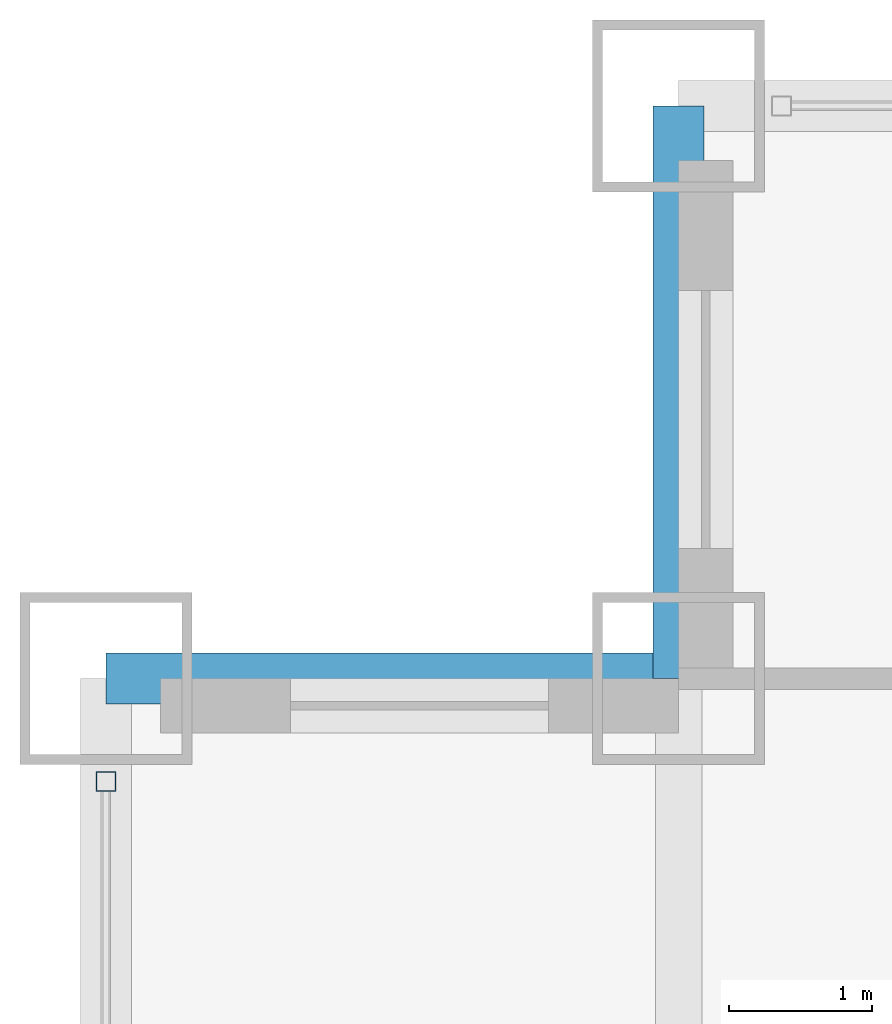
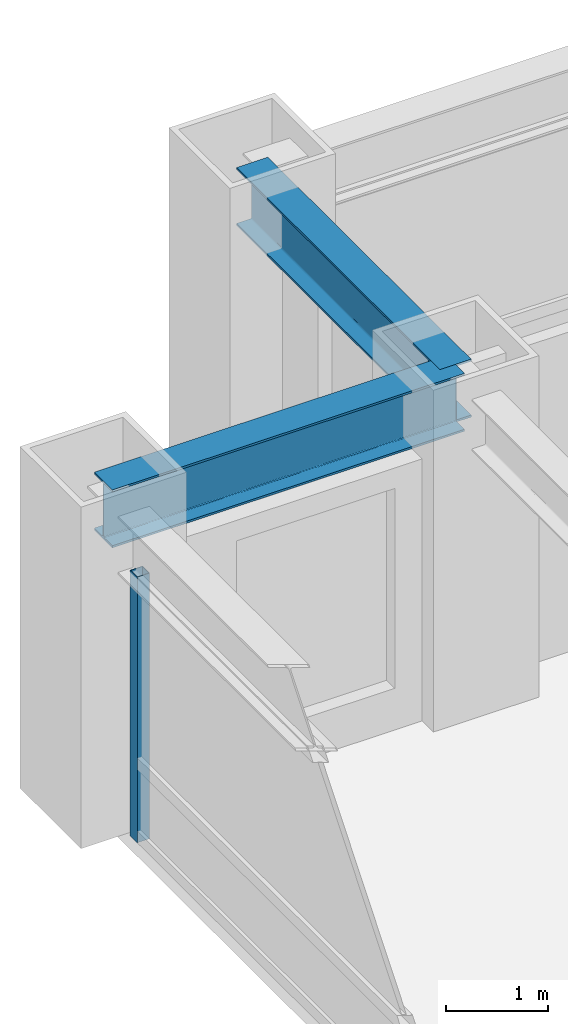
# One storey, part 10 of 28: 2 beams, 1 member, 1 element without a shape of its own.
"""IFC4 building model written with IfcOpenShell, lengths in metres."""

from ifc_helpers import new_model, si_unit, direction, frame, origin, origin_2d, place, context, subcontext, project, spatial, hollow_rectangle, i_section, extrude, source, transform, mapped, material, material_profile, profile_set, type_object, element, aggregate, save


model = new_model("IFC4")

# Units and contexts
model_context = context("Model", 3, precision=1e-05, world=origin(), true_north=direction((0.0, 1.0)))
body_context = subcontext(model_context, "Body", "Model", "MODEL_VIEW")
ifc_project = project(units=[si_unit("LENGTHUNIT", "METRE"), si_unit("AREAUNIT", "SQUARE_METRE"), si_unit("VOLUMEUNIT", "CUBIC_METRE"), si_unit("PLANEANGLEUNIT", "RADIAN"), si_unit("MASSUNIT", "GRAM", prefix="KILO")], contexts=[model_context])

# Site, building, storey
site_placement = place(None, origin())
site = spatial("IfcSite", under=ifc_project, at=site_placement, CompositionType="ELEMENT")
building_placement = place(site_placement, origin())
building = spatial("IfcBuilding", under=site, at=building_placement, Name="Khorayat Bourse Tower", CompositionType="ELEMENT")
storey_placement = place(building_placement, frame((0.0, 0.0, 120.10009765625)))
storey = spatial("IfcBuildingStorey", under=building, at=storey_placement, Name="L27", CompositionType="ELEMENT", Elevation=120.10009765625)

# Beams
ifc_material_1 = material(Name="Steel ASTM A992 Grade 50", Category="steel")
ifc_material_profile_1 = material_profile(ifc_material_1, i_section(OverallWidth=0.35498046875, OverallDepth=0.695068359375, WebThickness=0.015380859375, FlangeThickness=0.02490234375, FilletRadius=0.01806640625, at=origin_2d()), Name="W690X217")
ifc_profile_set_1 = profile_set([ifc_material_profile_1], Name="Steel ASTM A992 Grade 50")
beam_type = type_object("IfcBeamType", Name="BM-SPAN-690", PredefinedType="SPANDREL", material=ifc_profile_set_1)
shared_shape_1 = source(origin(), body_context, "Body", "SweptSolid", [
    extrude(i_section(OverallWidth=0.35498046875, OverallDepth=0.695068359375, WebThickness=0.015380859375, FlangeThickness=0.02490234375, FilletRadius=0.01806640625, at=origin_2d()), origin(), (0.0, 0.0, 1.0), 4.0),
])
for number, where, z_axis, x_axis, name in (
    (1, (-28.0, 28.0, 3.492431640625), (0.0, 1.0, 0.0), (-1.0, 0.0, 0.0), "L27 BM-SPAN-690 BM-L27-SPN-052"),
    (2, (-32.0, 28.0, 3.492431640625), (1.0, 0.0, 0.0), (0.0, 1.0, 0.0), "L27 BM-SPAN-690 BM-L27-SPN-053"),
):
    element("IfcBeam", number, at=place(storey_placement, frame(where, z_axis=z_axis, x_axis=x_axis)), inside=storey, type_object=beam_type, Name=name, PredefinedType="SPANDREL", context=body_context, shape_type="MappedRepresentation", body=[
        mapped(shared_shape_1, transform((0.0, 0.0, 0.0), scale=1.0)),
    ])

# Curtain wall, member
ifc_material_2 = material(Name="Aluminium EN AW-6063 T6", Category="aluminium")
curtain_wall_type = type_object("IfcCurtainWallType", Name="CW-SYS-02", PredefinedType="NOTDEFINED", material=ifc_material_2)
curtain_wall_placement = place(storey_placement, origin())
curtain_wall = element("IfcCurtainWall", 3, at=curtain_wall_placement, inside=storey, type_object=curtain_wall_type, Name="L27 Curtain Wall CW-L27-W1", PredefinedType="NOTDEFINED")
ifc_material_profile_2 = material_profile(ifc_material_2, hollow_rectangle(XDim=0.139892578125, YDim=0.139892578125, WallThickness=0.006103515625, at=origin_2d()), Name="ALU 140x140x6")
ifc_profile_set_2 = profile_set([ifc_material_profile_2], Name="Aluminium EN AW-6063 T6")
member_type = type_object("IfcMemberType", Name="CWM-VERT-140", PredefinedType="MULLION", material=ifc_profile_set_2)
shared_shape_2 = source(origin(), body_context, "Body", "SweptSolid", [
    extrude(hollow_rectangle(XDim=0.139892578125, YDim=0.139892578125, WallThickness=0.006103515625, at=origin_2d()), origin(), (0.0, 0.0, 1.0), 3.18994140625),
])
member_placement = place(storey_placement, frame((-32.0, 27.280029296875, 0.0), z_axis=(0.0, 0.0, 1.0), x_axis=(-1.0, 0.0, 0.0)))
member = element("IfcMember", 4, at=member_placement, type_object=member_type, Name="CW-L27-W1 Vertical Mullion 3", PredefinedType="MULLION", context=body_context, shape_type="MappedRepresentation", body=[
    mapped(shared_shape_2, transform((0.0, 0.0, 0.0), scale=1.0)),
])
aggregate(curtain_wall, [member])

save(model, "model.ifc")
